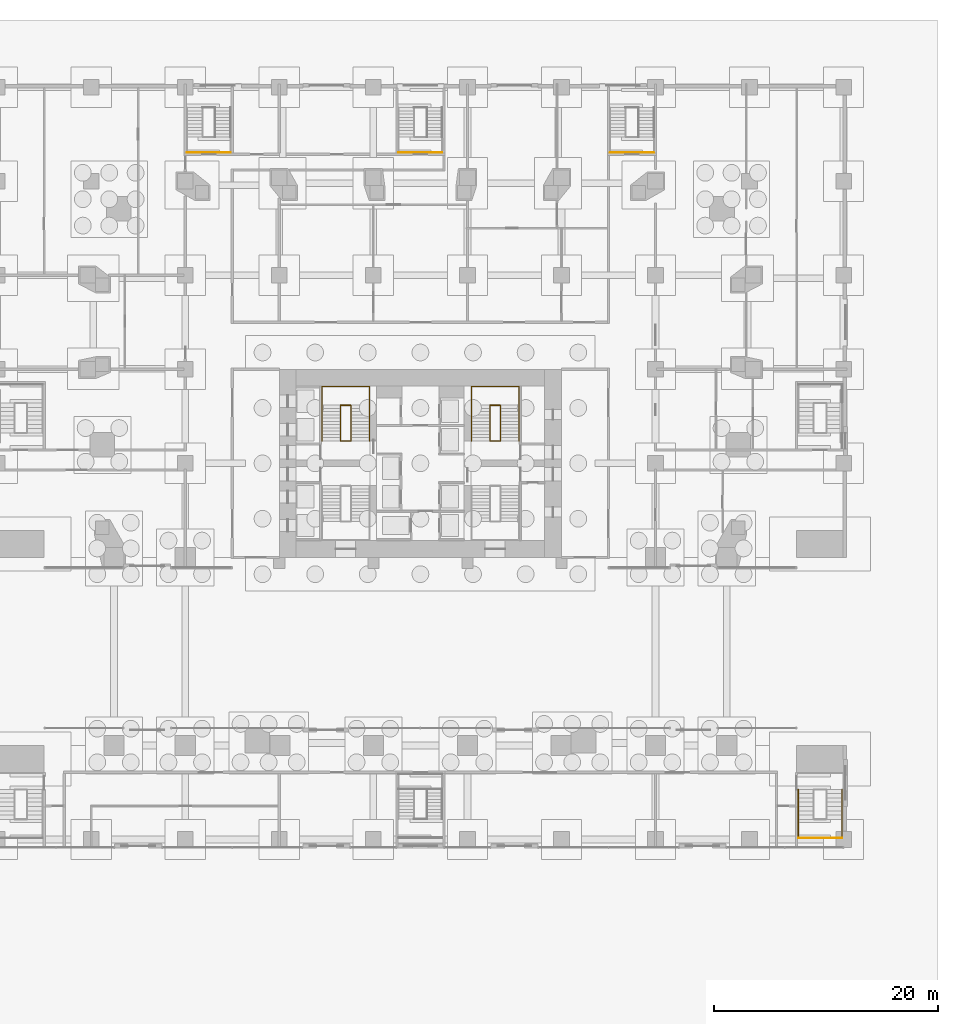
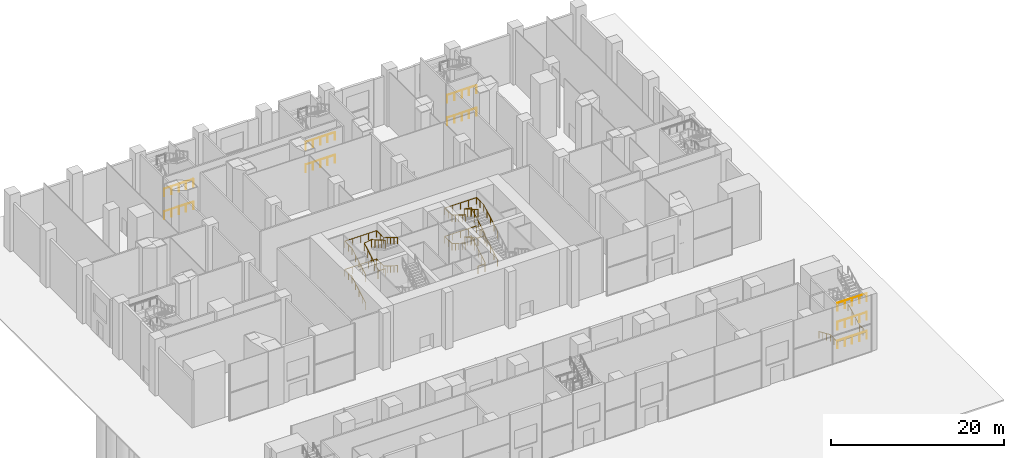
# One storey, part 27 of 31: 17 railings.
"""IFC4 building model written with IfcOpenShell, lengths in metres."""

import ifcopenshell
import ifcopenshell.guid

model = None  # the IFC model being written
_history = None  # IfcOwnerHistory: only IFC2X3 demands one
_inside = {}  # id of a spatial element -> (the spatial element, [elements in it])
_under = {}  # id of a project, library or spatial element -> (it, [spatial elements below it])
_declared = {}  # id of a project -> (the project, [libraries it declares])
_typed = {}  # id of a type object -> (the type object, [elements of that type])
_made_of = {}  # id of a material, layer set ... -> (it, [elements and type objects made of it])


def new_model(schema):
    """Start an empty IFC model of exactly this schema.

    Asked for "IFC4X3", IfcOpenShell would pick the latest addendum, in which some entities
    have other attributes; the version numbers below select the first issue.
    IFC2X3 requires an IfcOwnerHistory on every rooted entity: one is made here for all.
    """
    global model, _history
    if schema == "IFC4X3":
        model = ifcopenshell.file(schema_version=(4, 3, 0, 0))
    else:
        model = ifcopenshell.file(schema=schema)
    _inside.clear()
    _under.clear()
    _declared.clear()
    _typed.clear()
    _made_of.clear()
    _history = None
    if model.schema == "IFC2X3":
        org = make("IfcOrganization", Name="unknown")
        user = make(
            "IfcPersonAndOrganization",
            ThePerson=make("IfcPerson", FamilyName="unknown"),
            TheOrganization=org,
        )
        app = make(
            "IfcApplication",
            ApplicationDeveloper=org,
            Version="unknown",
            ApplicationFullName="unknown",
            ApplicationIdentifier="unknown",
        )
        _history = make(
            "IfcOwnerHistory",
            OwningUser=user,
            OwningApplication=app,
            ChangeAction="ADDED",
            CreationDate=0,
        )
    return model


def make(cls, **values):
    """One entity of the class cls with the attributes given. An attribute that is None is left unset."""
    return model.create_entity(
        cls, **{name: value for name, value in values.items() if value is not None}
    )


def rooted(cls, **values):
    """An entity with a GlobalId (a new one), such as an element, a storey or a relation."""
    return make(cls, GlobalId=ifcopenshell.guid.new(), OwnerHistory=_history, **values)


def si_unit(unit_type, name, prefix=None):
    """IfcSIUnit, for example si_unit("LENGTHUNIT", "METRE", prefix="MILLI")."""
    return make("IfcSIUnit", UnitType=unit_type, Prefix=prefix, Name=name)


def assignment(units):
    """IfcUnitAssignment: the units of a project."""
    return None if units is None else make("IfcUnitAssignment", Units=units)


def point(xyz):
    """IfcCartesianPoint."""
    return None if xyz is None else make("IfcCartesianPoint", Coordinates=xyz)


def direction(xyz):
    """IfcDirection."""
    return None if xyz is None else make("IfcDirection", DirectionRatios=xyz)


def frame(location, z_axis=None, x_axis=None):
    """IfcAxis2Placement3D, a coordinate frame: its origin and axes. An axis left out is left unset."""
    return make(
        "IfcAxis2Placement3D",
        Location=point(location),
        Axis=direction(z_axis),
        RefDirection=direction(x_axis),
    )


def frame_2d(location, x_axis=None):
    """IfcAxis2Placement2D, a coordinate frame in the plane: its origin and x axis."""
    return make(
        "IfcAxis2Placement2D", Location=point(location), RefDirection=direction(x_axis)
    )


def origin():
    """The frame at (0, 0, 0) with its axes left unset."""
    return frame((0.0, 0.0, 0.0))


def origin_2d():
    """The frame at (0, 0) in the plane with its x axis left unset."""
    return frame_2d((0.0, 0.0))


def place(relative_to, where):
    """IfcLocalPlacement: puts the frame where relative to a parent placement (None: the world)."""
    return make(
        "IfcLocalPlacement", PlacementRelTo=relative_to, RelativePlacement=where
    )


def context(
    kind, dimensions, precision=None, world=None, true_north=None, identifier=None
):
    """IfcGeometricRepresentationContext, for example the 3D "Model" context."""
    return make(
        "IfcGeometricRepresentationContext",
        ContextIdentifier=identifier,
        ContextType=kind,
        CoordinateSpaceDimension=dimensions,
        Precision=precision,
        WorldCoordinateSystem=world,
        TrueNorth=true_north,
    )


def subcontext(parent, identifier, kind, view, scale=None):
    """IfcGeometricRepresentationSubContext, for example "Body" below "Model"."""
    return make(
        "IfcGeometricRepresentationSubContext",
        ContextIdentifier=identifier,
        ContextType=kind,
        ParentContext=parent,
        TargetScale=scale,
        TargetView=view,
    )


def project(units=None, contexts=None):
    """IfcProject with its units and contexts."""
    return rooted(
        "IfcProject",
        Name="project",
        RepresentationContexts=contexts,
        UnitsInContext=assignment(units),
    )


def spatial(cls, under=None, at=None, **own):
    """A site, building, storey or space (cls), placed at a placement, below another one or the project."""
    s = rooted(cls, ObjectPlacement=at, **own)
    if under is not None:
        _under.setdefault(under.id(), (under, []))[1].append(s)
    return s


def profile(cls, at=None, kind="AREA", **sizes):
    """A parametric profile (cls). Its sizes go by their IFC names, for example OverallWidth=200.0."""
    return make(cls, ProfileType=kind, Position=at, **sizes)


def circle(**sizes):
    """IfcCircleProfileDef."""
    return profile("IfcCircleProfileDef", **sizes)


def extrude(swept, where, along, depth):
    """IfcExtrudedAreaSolid: the profile swept, set in the frame where, extruded along a direction by depth."""
    return make(
        "IfcExtrudedAreaSolid",
        SweptArea=swept,
        Position=where,
        ExtrudedDirection=direction(along),
        Depth=depth,
    )


def shape(context_of_items, identifier, shape_type, items):
    """IfcShapeRepresentation: the items that make up one representation, for example the "Body"."""
    return make(
        "IfcShapeRepresentation",
        ContextOfItems=context_of_items,
        RepresentationIdentifier=identifier,
        RepresentationType=shape_type,
        Items=items,
    )


def material(Name=None, Category=None):
    """IfcMaterial."""
    return make("IfcMaterial", Name=Name, Category=Category)


def made_of(thing, what):
    """Note that an element or type object is made of a material, layer set ...; save() writes the relation."""
    if what is not None:
        _made_of.setdefault(what.id(), (what, []))[1].append(thing)
    return thing


def type_object(cls, material=None, **own):
    """A type object (cls), such as IfcWallType, which elements share."""
    return made_of(rooted(cls, **own), material)


def element(
    cls,
    number,
    at=None,
    inside=None,
    cuts=None,
    type_object=None,
    material=None,
    context=None,
    identifier="Body",
    shape_type=None,
    held_by="IfcProductDefinitionShape",
    body=None,
    shapes=None,
    **own,
):
    """One element of the class cls, such as IfcWall. Its Tag is "e" and its number.

    at: its placement. inside: the storey or other place that contains it. cuts: it is an
    opening in that element (IfcRelVoidsElement). A single representation is given by context,
    identifier, shape_type and body (its items); several are given by shapes. held_by: the class
    of the entity that holds the representations. save() writes the other relations.
    """
    e = rooted(cls, Tag="e%d" % number, ObjectPlacement=at, **own)
    if body is not None:
        shapes = [shape(context, identifier, shape_type, body)]
    if shapes is not None:
        e.Representation = make(held_by, Representations=shapes)
    if inside is not None:
        _inside.setdefault(inside.id(), (inside, []))[1].append(e)
    if cuts is not None:
        rooted(
            "IfcRelVoidsElement", RelatingBuildingElement=cuts, RelatedOpeningElement=e
        )
    if type_object is not None:
        _typed.setdefault(type_object.id(), (type_object, []))[1].append(e)
    return made_of(e, material)


def aggregate(whole, parts):
    """IfcRelAggregates: a whole, such as a stair, and the parts it consists of."""
    return rooted("IfcRelAggregates", RelatingObject=whole, RelatedObjects=parts)


def save(model, path):
    """Write the relations noted so far, then the file.

    IfcRelAggregates (storeys below a building ...), IfcRelContainedInSpatialStructure (elements
    in a storey), IfcRelDefinesByType, IfcRelAssociatesMaterial and IfcRelDeclares: one each for
    every whole, place, type object, material and project.
    """
    for whole, parts in _under.values():
        aggregate(whole, parts)
    for where, things in _inside.values():
        rooted(
            "IfcRelContainedInSpatialStructure",
            RelatedElements=things,
            RelatingStructure=where,
        )
    for kind, things in _typed.values():
        rooted("IfcRelDefinesByType", RelatedObjects=things, RelatingType=kind)
    for what, things in _made_of.values():
        rooted("IfcRelAssociatesMaterial", RelatedObjects=things, RelatingMaterial=what)
    for by, libraries in _declared.values():
        rooted("IfcRelDeclares", RelatingContext=by, RelatedDefinitions=libraries)
    model.write(path)


model = new_model("IFC4")

# Units and contexts
model_context = context("Model", 3, precision=1e-05, world=origin(), true_north=direction((0.0, 1.0)))
body_context = subcontext(model_context, "Body", "Model", "MODEL_VIEW")
ifc_project = project(units=[si_unit("LENGTHUNIT", "METRE"), si_unit("AREAUNIT", "SQUARE_METRE"), si_unit("VOLUMEUNIT", "CUBIC_METRE"), si_unit("PLANEANGLEUNIT", "RADIAN"), si_unit("MASSUNIT", "GRAM", prefix="KILO")], contexts=[model_context])

# Site, building, storey
site_placement = place(None, origin())
site = spatial("IfcSite", under=ifc_project, at=site_placement, CompositionType="ELEMENT")
building_placement = place(site_placement, origin())
building = spatial("IfcBuilding", under=site, at=building_placement, Name="Marenta Gate Hotel Tower", CompositionType="ELEMENT")
storey_placement = place(building_placement, origin())
storey = spatial("IfcBuildingStorey", under=building, at=storey_placement, Name="L00", CompositionType="ELEMENT", Elevation=0.0)

# Railings
ifc_material_1 = material(Name="Stainless steel", Category="steel")
railing_type_1 = type_object("IfcRailingType", Name="Core stair handrail 950", PredefinedType="HANDRAIL", material=ifc_material_1)
railing_1_placement = place(storey_placement, frame((-8.800048828125, 10.39990234375, 0.166748046875)))
element("IfcRailing", 1, at=railing_1_placement, inside=storey, type_object=railing_type_1, Name="HR-950 L00-KR-ST2-1", PredefinedType="HANDRAIL", context=body_context, shape_type="SweptSolid", body=[
    extrude(circle(Radius=0.02392578125, at=origin_2d()), frame((0.0, 0.0, 0.92578125), z_axis=(0.0, 0.8670360191, 0.498245463184), x_axis=(-1.0, 0.0, 0.0)), (0.0, 0.0, 1.0), 3.679443359375),
    extrude(circle(Radius=0.02392578125, at=origin_2d()), frame((0.0, 3.190185546875, 2.75927734375), z_axis=(0.0, 1.0, 0.0), x_axis=(-1.0, 0.0, 0.0)), (0.0, 0.0, 1.0), 1.659912109375),
    extrude(circle(Radius=0.02392578125, at=origin_2d()), frame((0.0, 4.85009765625, 2.75927734375), z_axis=(1.0, 0.0, 0.0), x_axis=(0.0, 1.0, 0.0)), (0.0, 0.0, 1.0), 4.25),
    extrude(circle(Radius=0.02392578125, at=origin_2d()), frame((4.25, 4.85009765625, 2.75927734375), z_axis=(0.0, -1.0, 0.0), x_axis=(1.0, 0.0, 0.0)), (0.0, 0.0, 1.0), 1.659912109375),
    extrude(circle(Radius=0.02392578125, at=origin_2d()), frame((4.25, 3.190185546875, 2.75927734375), z_axis=(0.0, -0.847265311894, 0.531169926918), x_axis=(1.0, 0.0, 0.0)), (0.0, 0.0, 1.0), 3.765380859375),
    extrude(circle(Radius=0.02099609375, at=origin_2d()), origin(), (0.0, 0.0, 1.0), 0.90185546875),
    extrude(circle(Radius=0.02099609375, at=origin_2d()), frame((0.0, 0.797607421875, 0.458251953125)), (0.0, 0.0, 1.0), 0.90185546875),
    extrude(circle(Radius=0.02099609375, at=origin_2d()), frame((0.0, 1.59521484375, 0.91650390625)), (0.0, 0.0, 1.0), 0.90185546875),
    extrude(circle(Radius=0.02099609375, at=origin_2d()), frame((0.0, 2.392578125, 1.375)), (0.0, 0.0, 1.0), 0.90185546875),
    extrude(circle(Radius=0.02099609375, at=origin_2d()), frame((0.0, 3.190185546875, 1.833251953125)), (0.0, 0.0, 1.0), 0.90185546875),
    extrude(circle(Radius=0.02099609375, at=origin_2d()), frame((0.0, 4.02001953125, 1.833251953125)), (0.0, 0.0, 1.0), 0.90185546875),
    extrude(circle(Radius=0.02099609375, at=origin_2d()), frame((0.0, 4.85009765625, 1.833251953125)), (0.0, 0.0, 1.0), 0.90185546875),
    extrude(circle(Radius=0.02099609375, at=origin_2d()), frame((1.0625, 4.85009765625, 1.833251953125)), (0.0, 0.0, 1.0), 0.90185546875),
    extrude(circle(Radius=0.02099609375, at=origin_2d()), frame((2.125, 4.85009765625, 1.833251953125)), (0.0, 0.0, 1.0), 0.90185546875),
    extrude(circle(Radius=0.02099609375, at=origin_2d()), frame((3.1875, 4.85009765625, 1.833251953125)), (0.0, 0.0, 1.0), 0.90185546875),
    extrude(circle(Radius=0.02099609375, at=origin_2d()), frame((4.25, 4.85009765625, 1.833251953125)), (0.0, 0.0, 1.0), 0.90185546875),
    extrude(circle(Radius=0.02099609375, at=origin_2d()), frame((4.25, 4.02001953125, 1.833251953125)), (0.0, 0.0, 1.0), 0.90185546875),
    extrude(circle(Radius=0.02099609375, at=origin_2d()), frame((4.25, 3.190185546875, 1.833251953125)), (0.0, 0.0, 1.0), 0.90185546875),
    extrude(circle(Radius=0.02099609375, at=origin_2d()), frame((4.25, 2.392578125, 2.333251953125)), (0.0, 0.0, 1.0), 0.90185546875),
    extrude(circle(Radius=0.02099609375, at=origin_2d()), frame((4.25, 1.59521484375, 2.833251953125)), (0.0, 0.0, 1.0), 0.90185546875),
    extrude(circle(Radius=0.02099609375, at=origin_2d()), frame((4.25, 0.797607421875, 3.333251953125)), (0.0, 0.0, 1.0), 0.90185546875),
    extrude(circle(Radius=0.02099609375, at=origin_2d()), frame((4.25, 0.0, 3.833251953125)), (0.0, 0.0, 1.0), 0.90185546875),
])
railing_2_placement = place(storey_placement, frame((-8.800048828125, 10.39990234375, 4.166748046875)))
element("IfcRailing", 2, at=railing_2_placement, inside=storey, type_object=railing_type_1, Name="HR-950 L00-KR-ST2-3", PredefinedType="HANDRAIL", context=body_context, shape_type="SweptSolid", body=[
    extrude(circle(Radius=0.02392578125, at=origin_2d()), frame((0.0, 0.0, 0.92578125), z_axis=(0.0, 0.8670360191, 0.498245463184), x_axis=(-1.0, 0.0, 0.0)), (0.0, 0.0, 1.0), 3.679443359375),
    extrude(circle(Radius=0.02392578125, at=origin_2d()), frame((0.0, 3.190185546875, 2.75927734375), z_axis=(0.0, 1.0, 0.0), x_axis=(-1.0, 0.0, 0.0)), (0.0, 0.0, 1.0), 1.659912109375),
    extrude(circle(Radius=0.02392578125, at=origin_2d()), frame((0.0, 4.85009765625, 2.75927734375), z_axis=(1.0, 0.0, 0.0), x_axis=(0.0, 1.0, 0.0)), (0.0, 0.0, 1.0), 4.25),
    extrude(circle(Radius=0.02392578125, at=origin_2d()), frame((4.25, 4.85009765625, 2.75927734375), z_axis=(0.0, -1.0, 0.0), x_axis=(1.0, 0.0, 0.0)), (0.0, 0.0, 1.0), 1.659912109375),
    extrude(circle(Radius=0.02392578125, at=origin_2d()), frame((4.25, 3.190185546875, 2.75927734375), z_axis=(0.0, -0.847265311894, 0.531169926918), x_axis=(1.0, 0.0, 0.0)), (0.0, 0.0, 1.0), 3.765380859375),
    extrude(circle(Radius=0.02099609375, at=origin_2d()), origin(), (0.0, 0.0, 1.0), 0.90185546875),
    extrude(circle(Radius=0.02099609375, at=origin_2d()), frame((0.0, 0.797607421875, 0.458251953125)), (0.0, 0.0, 1.0), 0.90185546875),
    extrude(circle(Radius=0.02099609375, at=origin_2d()), frame((0.0, 1.59521484375, 0.91650390625)), (0.0, 0.0, 1.0), 0.90185546875),
    extrude(circle(Radius=0.02099609375, at=origin_2d()), frame((0.0, 2.392578125, 1.375)), (0.0, 0.0, 1.0), 0.90185546875),
    extrude(circle(Radius=0.02099609375, at=origin_2d()), frame((0.0, 3.190185546875, 1.833251953125)), (0.0, 0.0, 1.0), 0.90185546875),
    extrude(circle(Radius=0.02099609375, at=origin_2d()), frame((0.0, 4.02001953125, 1.833251953125)), (0.0, 0.0, 1.0), 0.90185546875),
    extrude(circle(Radius=0.02099609375, at=origin_2d()), frame((0.0, 4.85009765625, 1.833251953125)), (0.0, 0.0, 1.0), 0.90185546875),
    extrude(circle(Radius=0.02099609375, at=origin_2d()), frame((1.0625, 4.85009765625, 1.833251953125)), (0.0, 0.0, 1.0), 0.90185546875),
    extrude(circle(Radius=0.02099609375, at=origin_2d()), frame((2.125, 4.85009765625, 1.833251953125)), (0.0, 0.0, 1.0), 0.90185546875),
    extrude(circle(Radius=0.02099609375, at=origin_2d()), frame((3.1875, 4.85009765625, 1.833251953125)), (0.0, 0.0, 1.0), 0.90185546875),
    extrude(circle(Radius=0.02099609375, at=origin_2d()), frame((4.25, 4.85009765625, 1.833251953125)), (0.0, 0.0, 1.0), 0.90185546875),
    extrude(circle(Radius=0.02099609375, at=origin_2d()), frame((4.25, 4.02001953125, 1.833251953125)), (0.0, 0.0, 1.0), 0.90185546875),
    extrude(circle(Radius=0.02099609375, at=origin_2d()), frame((4.25, 3.190185546875, 1.833251953125)), (0.0, 0.0, 1.0), 0.90185546875),
    extrude(circle(Radius=0.02099609375, at=origin_2d()), frame((4.25, 2.392578125, 2.333251953125)), (0.0, 0.0, 1.0), 0.90185546875),
    extrude(circle(Radius=0.02099609375, at=origin_2d()), frame((4.25, 1.59521484375, 2.833251953125)), (0.0, 0.0, 1.0), 0.90185546875),
    extrude(circle(Radius=0.02099609375, at=origin_2d()), frame((4.25, 0.797607421875, 3.333251953125)), (0.0, 0.0, 1.0), 0.90185546875),
    extrude(circle(Radius=0.02099609375, at=origin_2d()), frame((4.25, 0.0, 3.833251953125)), (0.0, 0.0, 1.0), 0.90185546875),
])
railing_3_placement = place(storey_placement, frame((8.800048828125, 10.39990234375, 0.166748046875)))
element("IfcRailing", 3, at=railing_3_placement, inside=storey, type_object=railing_type_1, Name="HR-950 L00-KR-ST4-1", PredefinedType="HANDRAIL", context=body_context, shape_type="SweptSolid", body=[
    extrude(circle(Radius=0.02392578125, at=origin_2d()), frame((0.0, 0.0, 0.92578125), z_axis=(0.0, 0.8670360191, 0.498245463184), x_axis=(-1.0, 0.0, 0.0)), (0.0, 0.0, 1.0), 3.679443359375),
    extrude(circle(Radius=0.02392578125, at=origin_2d()), frame((0.0, 3.190185546875, 2.75927734375), z_axis=(0.0, 1.0, 0.0), x_axis=(-1.0, 0.0, 0.0)), (0.0, 0.0, 1.0), 1.659912109375),
    extrude(circle(Radius=0.02392578125, at=origin_2d()), frame((0.0, 4.85009765625, 2.75927734375), z_axis=(-1.0, 0.0, 0.0), x_axis=(0.0, -1.0, 0.0)), (0.0, 0.0, 1.0), 4.25),
    extrude(circle(Radius=0.02392578125, at=origin_2d()), frame((-4.25, 4.85009765625, 2.75927734375), z_axis=(0.0, -1.0, 0.0), x_axis=(1.0, 0.0, 0.0)), (0.0, 0.0, 1.0), 1.659912109375),
    extrude(circle(Radius=0.02392578125, at=origin_2d()), frame((-4.25, 3.190185546875, 2.75927734375), z_axis=(0.0, -0.847265311894, 0.531169926918), x_axis=(1.0, 0.0, 0.0)), (0.0, 0.0, 1.0), 3.765380859375),
    extrude(circle(Radius=0.02099609375, at=origin_2d()), origin(), (0.0, 0.0, 1.0), 0.90185546875),
    extrude(circle(Radius=0.02099609375, at=origin_2d()), frame((0.0, 0.797607421875, 0.458251953125)), (0.0, 0.0, 1.0), 0.90185546875),
    extrude(circle(Radius=0.02099609375, at=origin_2d()), frame((0.0, 1.59521484375, 0.91650390625)), (0.0, 0.0, 1.0), 0.90185546875),
    extrude(circle(Radius=0.02099609375, at=origin_2d()), frame((0.0, 2.392578125, 1.375)), (0.0, 0.0, 1.0), 0.90185546875),
    extrude(circle(Radius=0.02099609375, at=origin_2d()), frame((0.0, 3.190185546875, 1.833251953125)), (0.0, 0.0, 1.0), 0.90185546875),
    extrude(circle(Radius=0.02099609375, at=origin_2d()), frame((0.0, 4.02001953125, 1.833251953125)), (0.0, 0.0, 1.0), 0.90185546875),
    extrude(circle(Radius=0.02099609375, at=origin_2d()), frame((0.0, 4.85009765625, 1.833251953125)), (0.0, 0.0, 1.0), 0.90185546875),
    extrude(circle(Radius=0.02099609375, at=origin_2d()), frame((-1.0625, 4.85009765625, 1.833251953125)), (0.0, 0.0, 1.0), 0.90185546875),
    extrude(circle(Radius=0.02099609375, at=origin_2d()), frame((-2.125, 4.85009765625, 1.833251953125)), (0.0, 0.0, 1.0), 0.90185546875),
    extrude(circle(Radius=0.02099609375, at=origin_2d()), frame((-3.1875, 4.85009765625, 1.833251953125)), (0.0, 0.0, 1.0), 0.90185546875),
    extrude(circle(Radius=0.02099609375, at=origin_2d()), frame((-4.25, 4.85009765625, 1.833251953125)), (0.0, 0.0, 1.0), 0.90185546875),
    extrude(circle(Radius=0.02099609375, at=origin_2d()), frame((-4.25, 4.02001953125, 1.833251953125)), (0.0, 0.0, 1.0), 0.90185546875),
    extrude(circle(Radius=0.02099609375, at=origin_2d()), frame((-4.25, 3.190185546875, 1.833251953125)), (0.0, 0.0, 1.0), 0.90185546875),
    extrude(circle(Radius=0.02099609375, at=origin_2d()), frame((-4.25, 2.392578125, 2.333251953125)), (0.0, 0.0, 1.0), 0.90185546875),
    extrude(circle(Radius=0.02099609375, at=origin_2d()), frame((-4.25, 1.59521484375, 2.833251953125)), (0.0, 0.0, 1.0), 0.90185546875),
    extrude(circle(Radius=0.02099609375, at=origin_2d()), frame((-4.25, 0.797607421875, 3.333251953125)), (0.0, 0.0, 1.0), 0.90185546875),
    extrude(circle(Radius=0.02099609375, at=origin_2d()), frame((-4.25, 0.0, 3.833251953125)), (0.0, 0.0, 1.0), 0.90185546875),
])
railing_4_placement = place(storey_placement, frame((8.800048828125, 10.39990234375, 4.166748046875)))
element("IfcRailing", 4, at=railing_4_placement, inside=storey, type_object=railing_type_1, Name="HR-950 L00-KR-ST4-3", PredefinedType="HANDRAIL", context=body_context, shape_type="SweptSolid", body=[
    extrude(circle(Radius=0.02392578125, at=origin_2d()), frame((0.0, 0.0, 0.92578125), z_axis=(0.0, 0.8670360191, 0.498245463184), x_axis=(-1.0, 0.0, 0.0)), (0.0, 0.0, 1.0), 3.679443359375),
    extrude(circle(Radius=0.02392578125, at=origin_2d()), frame((0.0, 3.190185546875, 2.75927734375), z_axis=(0.0, 1.0, 0.0), x_axis=(-1.0, 0.0, 0.0)), (0.0, 0.0, 1.0), 1.659912109375),
    extrude(circle(Radius=0.02392578125, at=origin_2d()), frame((0.0, 4.85009765625, 2.75927734375), z_axis=(-1.0, 0.0, 0.0), x_axis=(0.0, -1.0, 0.0)), (0.0, 0.0, 1.0), 4.25),
    extrude(circle(Radius=0.02392578125, at=origin_2d()), frame((-4.25, 4.85009765625, 2.75927734375), z_axis=(0.0, -1.0, 0.0), x_axis=(1.0, 0.0, 0.0)), (0.0, 0.0, 1.0), 1.659912109375),
    extrude(circle(Radius=0.02392578125, at=origin_2d()), frame((-4.25, 3.190185546875, 2.75927734375), z_axis=(0.0, -0.847265311894, 0.531169926918), x_axis=(1.0, 0.0, 0.0)), (0.0, 0.0, 1.0), 3.765380859375),
    extrude(circle(Radius=0.02099609375, at=origin_2d()), origin(), (0.0, 0.0, 1.0), 0.90185546875),
    extrude(circle(Radius=0.02099609375, at=origin_2d()), frame((0.0, 0.797607421875, 0.458251953125)), (0.0, 0.0, 1.0), 0.90185546875),
    extrude(circle(Radius=0.02099609375, at=origin_2d()), frame((0.0, 1.59521484375, 0.91650390625)), (0.0, 0.0, 1.0), 0.90185546875),
    extrude(circle(Radius=0.02099609375, at=origin_2d()), frame((0.0, 2.392578125, 1.375)), (0.0, 0.0, 1.0), 0.90185546875),
    extrude(circle(Radius=0.02099609375, at=origin_2d()), frame((0.0, 3.190185546875, 1.833251953125)), (0.0, 0.0, 1.0), 0.90185546875),
    extrude(circle(Radius=0.02099609375, at=origin_2d()), frame((0.0, 4.02001953125, 1.833251953125)), (0.0, 0.0, 1.0), 0.90185546875),
    extrude(circle(Radius=0.02099609375, at=origin_2d()), frame((0.0, 4.85009765625, 1.833251953125)), (0.0, 0.0, 1.0), 0.90185546875),
    extrude(circle(Radius=0.02099609375, at=origin_2d()), frame((-1.0625, 4.85009765625, 1.833251953125)), (0.0, 0.0, 1.0), 0.90185546875),
    extrude(circle(Radius=0.02099609375, at=origin_2d()), frame((-2.125, 4.85009765625, 1.833251953125)), (0.0, 0.0, 1.0), 0.90185546875),
    extrude(circle(Radius=0.02099609375, at=origin_2d()), frame((-3.1875, 4.85009765625, 1.833251953125)), (0.0, 0.0, 1.0), 0.90185546875),
    extrude(circle(Radius=0.02099609375, at=origin_2d()), frame((-4.25, 4.85009765625, 1.833251953125)), (0.0, 0.0, 1.0), 0.90185546875),
    extrude(circle(Radius=0.02099609375, at=origin_2d()), frame((-4.25, 4.02001953125, 1.833251953125)), (0.0, 0.0, 1.0), 0.90185546875),
    extrude(circle(Radius=0.02099609375, at=origin_2d()), frame((-4.25, 3.190185546875, 1.833251953125)), (0.0, 0.0, 1.0), 0.90185546875),
    extrude(circle(Radius=0.02099609375, at=origin_2d()), frame((-4.25, 2.392578125, 2.333251953125)), (0.0, 0.0, 1.0), 0.90185546875),
    extrude(circle(Radius=0.02099609375, at=origin_2d()), frame((-4.25, 1.59521484375, 2.833251953125)), (0.0, 0.0, 1.0), 0.90185546875),
    extrude(circle(Radius=0.02099609375, at=origin_2d()), frame((-4.25, 0.797607421875, 3.333251953125)), (0.0, 0.0, 1.0), 0.90185546875),
    extrude(circle(Radius=0.02099609375, at=origin_2d()), frame((-4.25, 0.0, 3.833251953125)), (0.0, 0.0, 1.0), 0.90185546875),
])
railing_5_placement = place(storey_placement, frame((33.75, -20.72998046875, 0.166748046875)))
element("IfcRailing", 5, at=railing_5_placement, inside=storey, type_object=railing_type_1, Name="HR-950 L00-KR-PX2-2", PredefinedType="HANDRAIL", context=body_context, shape_type="SweptSolid", body=[
    extrude(circle(Radius=0.02392578125, at=origin_2d()), frame((0.0, 0.0, 0.92578125), z_axis=(0.0, -0.915803938995, 0.401625628317), x_axis=(1.0, 0.0, 0.0)), (0.0, 0.0, 1.0), 2.904541015625),
    extrude(circle(Radius=0.02392578125, at=origin_2d()), frame((0.0, -2.659912109375, 2.09228515625), z_axis=(0.0, -1.0, 0.0), x_axis=(1.0, 0.0, 0.0)), (0.0, 0.0, 1.0), 1.66015625),
    extrude(circle(Radius=0.02392578125, at=origin_2d()), frame((0.0, -4.320068359375, 2.09228515625), z_axis=(1.0, 0.0, 0.0), x_axis=(0.0, 1.0, 0.0)), (0.0, 0.0, 1.0), 3.89990234375),
    extrude(circle(Radius=0.02392578125, at=origin_2d()), frame((3.89990234375, -4.320068359375, 2.09228515625), z_axis=(0.0, 1.0, 0.0), x_axis=(-1.0, 0.0, 0.0)), (0.0, 0.0, 1.0), 1.66015625),
    extrude(circle(Radius=0.02392578125, at=origin_2d()), frame((3.89990234375, -2.659912109375, 2.09228515625), z_axis=(0.0, 0.89395078604, 0.448165139362), x_axis=(-1.0, 0.0, 0.0)), (0.0, 0.0, 1.0), 2.975341796875),
    extrude(circle(Radius=0.02099609375, at=origin_2d()), origin(), (0.0, 0.0, 1.0), 0.90185546875),
    extrude(circle(Radius=0.02099609375, at=origin_2d()), frame((0.0, -0.88671875, 0.388916015625)), (0.0, 0.0, 1.0), 0.90185546875),
    extrude(circle(Radius=0.02099609375, at=origin_2d()), frame((0.0, -1.773193359375, 0.777587890625)), (0.0, 0.0, 1.0), 0.90185546875),
    extrude(circle(Radius=0.02099609375, at=origin_2d()), frame((0.0, -2.659912109375, 1.16650390625)), (0.0, 0.0, 1.0), 0.90185546875),
    extrude(circle(Radius=0.02099609375, at=origin_2d()), frame((0.0, -3.489990234375, 1.16650390625)), (0.0, 0.0, 1.0), 0.90185546875),
    extrude(circle(Radius=0.02099609375, at=origin_2d()), frame((0.0, -4.320068359375, 1.16650390625)), (0.0, 0.0, 1.0), 0.90185546875),
    extrude(circle(Radius=0.02099609375, at=origin_2d()), frame((0.97509765625, -4.320068359375, 1.16650390625)), (0.0, 0.0, 1.0), 0.90185546875),
    extrude(circle(Radius=0.02099609375, at=origin_2d()), frame((1.949951171875, -4.320068359375, 1.16650390625)), (0.0, 0.0, 1.0), 0.90185546875),
    extrude(circle(Radius=0.02099609375, at=origin_2d()), frame((2.9248046875, -4.320068359375, 1.16650390625)), (0.0, 0.0, 1.0), 0.90185546875),
    extrude(circle(Radius=0.02099609375, at=origin_2d()), frame((3.89990234375, -4.320068359375, 1.16650390625)), (0.0, 0.0, 1.0), 0.90185546875),
    extrude(circle(Radius=0.02099609375, at=origin_2d()), frame((3.89990234375, -3.489990234375, 1.16650390625)), (0.0, 0.0, 1.0), 0.90185546875),
    extrude(circle(Radius=0.02099609375, at=origin_2d()), frame((3.89990234375, -2.659912109375, 1.16650390625)), (0.0, 0.0, 1.0), 0.90185546875),
    extrude(circle(Radius=0.02099609375, at=origin_2d()), frame((3.89990234375, -1.773193359375, 1.611083984375)), (0.0, 0.0, 1.0), 0.90185546875),
    extrude(circle(Radius=0.02099609375, at=origin_2d()), frame((3.89990234375, -0.88671875, 2.055419921875)), (0.0, 0.0, 1.0), 0.90185546875),
    extrude(circle(Radius=0.02099609375, at=origin_2d()), frame((3.89990234375, 0.0, 2.5)), (0.0, 0.0, 1.0), 0.90185546875),
])
ifc_material_2 = material(Name="Stainless steel", Category="steel")
railing_type_2 = type_object("IfcRailingType", Name="Core stair well guard 1100", PredefinedType="GUARDRAIL", material=ifc_material_2)
railing_6_placement = place(storey_placement, frame((-6.199951171875, 10.39990234375, 4.0)))
element("IfcRailing", 6, at=railing_6_placement, inside=storey, type_object=railing_type_2, Name="GR-1100 L00-KR-ST2-4", PredefinedType="GUARDRAIL", context=body_context, shape_type="SweptSolid", body=[
    extrude(circle(Radius=0.02392578125, at=origin_2d()), frame((0.0, 0.0, 1.076171875), z_axis=(-1.0, 0.0, 0.0), x_axis=(0.0, -1.0, 0.0)), (0.0, 0.0, 1.0), 0.949951171875),
    extrude(circle(Radius=0.02392578125, at=origin_2d()), frame((-0.949951171875, 0.0, 1.076171875), z_axis=(0.0, 0.0, 1.0), x_axis=(1.0, 0.0, 0.0)), (0.0, 0.0, 1.0), 0.166748046875),
    extrude(circle(Radius=0.02392578125, at=origin_2d()), frame((-0.949951171875, 0.0, 1.24267578125), z_axis=(0.0, 0.8670360191, 0.498245463184), x_axis=(-1.0, 0.0, 0.0)), (0.0, 0.0, 1.0), 3.679443359375),
    extrude(circle(Radius=0.02392578125, at=origin_2d()), frame((-0.949951171875, 3.190185546875, 3.076171875), z_axis=(0.984941147704, 0.0, 0.172889952167), x_axis=(0.0, 1.0, 0.0)), (0.0, 0.0, 1.0), 0.96435546875),
    extrude(circle(Radius=0.02392578125, at=origin_2d()), frame((0.0, 3.190185546875, 3.24267578125), z_axis=(0.0, -0.8670360191, 0.498245463184), x_axis=(1.0, 0.0, 0.0)), (0.0, 0.0, 1.0), 3.679443359375),
    extrude(circle(Radius=0.02099609375, at=origin_2d()), origin(), (0.0, 0.0, 1.0), 1.052001953125),
    extrude(circle(Radius=0.02099609375, at=origin_2d()), frame((-0.949951171875, 0.0, 0.0)), (0.0, 0.0, 1.0), 1.052001953125),
    extrude(circle(Radius=0.02099609375, at=origin_2d()), frame((-0.949951171875, 0.0, 0.166748046875)), (0.0, 0.0, 1.0), 1.052001953125),
    extrude(circle(Radius=0.02099609375, at=origin_2d()), frame((-0.949951171875, 0.797607421875, 0.625)), (0.0, 0.0, 1.0), 1.052001953125),
    extrude(circle(Radius=0.02099609375, at=origin_2d()), frame((-0.949951171875, 1.59521484375, 1.08349609375)), (0.0, 0.0, 1.0), 1.052001953125),
    extrude(circle(Radius=0.02099609375, at=origin_2d()), frame((-0.949951171875, 2.392578125, 1.541748046875)), (0.0, 0.0, 1.0), 1.052001953125),
    extrude(circle(Radius=0.02099609375, at=origin_2d()), frame((-0.949951171875, 3.190185546875, 2.0)), (0.0, 0.0, 1.0), 1.052001953125),
    extrude(circle(Radius=0.02099609375, at=origin_2d()), frame((0.0, 3.190185546875, 2.166748046875)), (0.0, 0.0, 1.0), 1.052001953125),
    extrude(circle(Radius=0.02099609375, at=origin_2d()), frame((0.0, 2.392578125, 2.625)), (0.0, 0.0, 1.0), 1.052001953125),
    extrude(circle(Radius=0.02099609375, at=origin_2d()), frame((0.0, 1.59521484375, 3.08349609375)), (0.0, 0.0, 1.0), 1.052001953125),
    extrude(circle(Radius=0.02099609375, at=origin_2d()), frame((0.0, 0.797607421875, 3.541748046875)), (0.0, 0.0, 1.0), 1.052001953125),
    extrude(circle(Radius=0.02099609375, at=origin_2d()), frame((0.0, 0.0, 4.0)), (0.0, 0.0, 1.0), 1.052001953125),
])
railing_7_placement = place(storey_placement, frame((6.199951171875, 10.39990234375, 0.0)))
element("IfcRailing", 7, at=railing_7_placement, inside=storey, type_object=railing_type_2, Name="GR-1100 L00-KR-ST4-2", PredefinedType="GUARDRAIL", context=body_context, shape_type="SweptSolid", body=[
    extrude(circle(Radius=0.02392578125, at=origin_2d()), frame((0.0, 0.0, 1.076171875), z_axis=(1.0, 0.0, 0.0), x_axis=(0.0, 1.0, 0.0)), (0.0, 0.0, 1.0), 0.949951171875),
    extrude(circle(Radius=0.02392578125, at=origin_2d()), frame((0.949951171875, 0.0, 1.076171875), z_axis=(0.0, 0.0, 1.0), x_axis=(1.0, 0.0, 0.0)), (0.0, 0.0, 1.0), 0.166748046875),
    extrude(circle(Radius=0.02392578125, at=origin_2d()), frame((0.949951171875, 0.0, 1.24267578125), z_axis=(0.0, 0.8670360191, 0.498245463184), x_axis=(-1.0, 0.0, 0.0)), (0.0, 0.0, 1.0), 3.679443359375),
    extrude(circle(Radius=0.02392578125, at=origin_2d()), frame((0.949951171875, 3.190185546875, 3.076171875), z_axis=(-0.984941147704, 0.0, 0.172889952167), x_axis=(0.0, -1.0, 0.0)), (0.0, 0.0, 1.0), 0.96435546875),
    extrude(circle(Radius=0.02392578125, at=origin_2d()), frame((0.0, 3.190185546875, 3.24267578125), z_axis=(0.0, -0.8670360191, 0.498245463184), x_axis=(1.0, 0.0, 0.0)), (0.0, 0.0, 1.0), 3.679443359375),
    extrude(circle(Radius=0.02099609375, at=origin_2d()), origin(), (0.0, 0.0, 1.0), 1.052001953125),
    extrude(circle(Radius=0.02099609375, at=origin_2d()), frame((0.949951171875, 0.0, 0.0)), (0.0, 0.0, 1.0), 1.052001953125),
    extrude(circle(Radius=0.02099609375, at=origin_2d()), frame((0.949951171875, 0.0, 0.166748046875)), (0.0, 0.0, 1.0), 1.052001953125),
    extrude(circle(Radius=0.02099609375, at=origin_2d()), frame((0.949951171875, 0.797607421875, 0.625)), (0.0, 0.0, 1.0), 1.052001953125),
    extrude(circle(Radius=0.02099609375, at=origin_2d()), frame((0.949951171875, 1.59521484375, 1.08349609375)), (0.0, 0.0, 1.0), 1.052001953125),
    extrude(circle(Radius=0.02099609375, at=origin_2d()), frame((0.949951171875, 2.392578125, 1.541748046875)), (0.0, 0.0, 1.0), 1.052001953125),
    extrude(circle(Radius=0.02099609375, at=origin_2d()), frame((0.949951171875, 3.190185546875, 2.0)), (0.0, 0.0, 1.0), 1.052001953125),
    extrude(circle(Radius=0.02099609375, at=origin_2d()), frame((0.0, 3.190185546875, 2.166748046875)), (0.0, 0.0, 1.0), 1.052001953125),
    extrude(circle(Radius=0.02099609375, at=origin_2d()), frame((0.0, 2.392578125, 2.625)), (0.0, 0.0, 1.0), 1.052001953125),
    extrude(circle(Radius=0.02099609375, at=origin_2d()), frame((0.0, 1.59521484375, 3.08349609375)), (0.0, 0.0, 1.0), 1.052001953125),
    extrude(circle(Radius=0.02099609375, at=origin_2d()), frame((0.0, 0.797607421875, 3.541748046875)), (0.0, 0.0, 1.0), 1.052001953125),
    extrude(circle(Radius=0.02099609375, at=origin_2d()), frame((0.0, 0.0, 4.0)), (0.0, 0.0, 1.0), 1.052001953125),
])
railing_8_placement = place(storey_placement, frame((6.199951171875, 10.39990234375, 4.0)))
element("IfcRailing", 8, at=railing_8_placement, inside=storey, type_object=railing_type_2, Name="GR-1100 L00-KR-ST4-4", PredefinedType="GUARDRAIL", context=body_context, shape_type="SweptSolid", body=[
    extrude(circle(Radius=0.02392578125, at=origin_2d()), frame((0.0, 0.0, 1.076171875), z_axis=(1.0, 0.0, 0.0), x_axis=(0.0, 1.0, 0.0)), (0.0, 0.0, 1.0), 0.949951171875),
    extrude(circle(Radius=0.02392578125, at=origin_2d()), frame((0.949951171875, 0.0, 1.076171875), z_axis=(0.0, 0.0, 1.0), x_axis=(1.0, 0.0, 0.0)), (0.0, 0.0, 1.0), 0.166748046875),
    extrude(circle(Radius=0.02392578125, at=origin_2d()), frame((0.949951171875, 0.0, 1.24267578125), z_axis=(0.0, 0.8670360191, 0.498245463184), x_axis=(-1.0, 0.0, 0.0)), (0.0, 0.0, 1.0), 3.679443359375),
    extrude(circle(Radius=0.02392578125, at=origin_2d()), frame((0.949951171875, 3.190185546875, 3.076171875), z_axis=(-0.984941147704, 0.0, 0.172889952167), x_axis=(0.0, -1.0, 0.0)), (0.0, 0.0, 1.0), 0.96435546875),
    extrude(circle(Radius=0.02392578125, at=origin_2d()), frame((0.0, 3.190185546875, 3.24267578125), z_axis=(0.0, -0.8670360191, 0.498245463184), x_axis=(1.0, 0.0, 0.0)), (0.0, 0.0, 1.0), 3.679443359375),
    extrude(circle(Radius=0.02099609375, at=origin_2d()), origin(), (0.0, 0.0, 1.0), 1.052001953125),
    extrude(circle(Radius=0.02099609375, at=origin_2d()), frame((0.949951171875, 0.0, 0.0)), (0.0, 0.0, 1.0), 1.052001953125),
    extrude(circle(Radius=0.02099609375, at=origin_2d()), frame((0.949951171875, 0.0, 0.166748046875)), (0.0, 0.0, 1.0), 1.052001953125),
    extrude(circle(Radius=0.02099609375, at=origin_2d()), frame((0.949951171875, 0.797607421875, 0.625)), (0.0, 0.0, 1.0), 1.052001953125),
    extrude(circle(Radius=0.02099609375, at=origin_2d()), frame((0.949951171875, 1.59521484375, 1.08349609375)), (0.0, 0.0, 1.0), 1.052001953125),
    extrude(circle(Radius=0.02099609375, at=origin_2d()), frame((0.949951171875, 2.392578125, 1.541748046875)), (0.0, 0.0, 1.0), 1.052001953125),
    extrude(circle(Radius=0.02099609375, at=origin_2d()), frame((0.949951171875, 3.190185546875, 2.0)), (0.0, 0.0, 1.0), 1.052001953125),
    extrude(circle(Radius=0.02099609375, at=origin_2d()), frame((0.0, 3.190185546875, 2.166748046875)), (0.0, 0.0, 1.0), 1.052001953125),
    extrude(circle(Radius=0.02099609375, at=origin_2d()), frame((0.0, 2.392578125, 2.625)), (0.0, 0.0, 1.0), 1.052001953125),
    extrude(circle(Radius=0.02099609375, at=origin_2d()), frame((0.0, 1.59521484375, 3.08349609375)), (0.0, 0.0, 1.0), 1.052001953125),
    extrude(circle(Radius=0.02099609375, at=origin_2d()), frame((0.0, 0.797607421875, 3.541748046875)), (0.0, 0.0, 1.0), 1.052001953125),
    extrude(circle(Radius=0.02099609375, at=origin_2d()), frame((0.0, 0.0, 4.0)), (0.0, 0.0, 1.0), 1.052001953125),
])
for number, where, name in (
    (9, (33.75, -25.050048828125, 1.333251953125), "GR-1100 L00-KR-PX2-1"),
    (10, (33.75, -25.050048828125, 4.0), "GR-1100 L00-KR-PX2-4"),
    (11, (33.75, -25.050048828125, 6.666748046875), "GR-1100 L00-KR-PX2-7"),
):
    element("IfcRailing", number, at=place(storey_placement, frame(where)), inside=storey, type_object=railing_type_2, Name=name, PredefinedType="GUARDRAIL", context=body_context, shape_type="SweptSolid", body=[
        extrude(circle(Radius=0.02392578125, at=origin_2d()), frame((0.0, 0.0, 1.076171875), z_axis=(1.0, 0.0, 0.0), x_axis=(0.0, 1.0, 0.0)), (0.0, 0.0, 1.0), 3.89990234375),
        extrude(circle(Radius=0.02099609375, at=origin_2d()), origin(), (0.0, 0.0, 1.0), 1.052001953125),
        extrude(circle(Radius=0.02099609375, at=origin_2d()), frame((0.97509765625, 0.0, 0.0)), (0.0, 0.0, 1.0), 1.052001953125),
        extrude(circle(Radius=0.02099609375, at=origin_2d()), frame((1.949951171875, 0.0, 0.0)), (0.0, 0.0, 1.0), 1.052001953125),
        extrude(circle(Radius=0.02099609375, at=origin_2d()), frame((2.9248046875, 0.0, 0.0)), (0.0, 0.0, 1.0), 1.052001953125),
        extrude(circle(Radius=0.02099609375, at=origin_2d()), frame((3.89990234375, 0.0, 0.0)), (0.0, 0.0, 1.0), 1.052001953125),
    ])
for number, where, name in (
    (12, (-16.949951171875, 36.14990234375, 1.60009765625), "GR-1100 L00-KR-PX3-1"),
    (13, (-16.949951171875, 36.14990234375, 4.800048828125), "GR-1100 L00-KR-PX3-4"),
    (14, (20.85009765625, 36.14990234375, 1.60009765625), "GR-1100 L00-KR-PX4-1"),
    (15, (20.85009765625, 36.14990234375, 4.800048828125), "GR-1100 L00-KR-PX4-4"),
):
    element("IfcRailing", number, at=place(storey_placement, frame(where)), inside=storey, type_object=railing_type_2, Name=name, PredefinedType="GUARDRAIL", context=body_context, shape_type="SweptSolid", body=[
        extrude(circle(Radius=0.02392578125, at=origin_2d()), frame((0.0, 0.0, 1.076171875), z_axis=(-1.0, 0.0, 0.0), x_axis=(0.0, -1.0, 0.0)), (0.0, 0.0, 1.0), 3.900146484375),
        extrude(circle(Radius=0.02099609375, at=origin_2d()), origin(), (0.0, 0.0, 1.0), 1.052001953125),
        extrude(circle(Radius=0.02099609375, at=origin_2d()), frame((-0.97509765625, 0.0, 0.0)), (0.0, 0.0, 1.0), 1.052001953125),
        extrude(circle(Radius=0.02099609375, at=origin_2d()), frame((-1.9501953125, 0.0, 0.0)), (0.0, 0.0, 1.0), 1.052001953125),
        extrude(circle(Radius=0.02099609375, at=origin_2d()), frame((-2.925048828125, 0.0, 0.0)), (0.0, 0.0, 1.0), 1.052001953125),
        extrude(circle(Radius=0.02099609375, at=origin_2d()), frame((-3.900146484375, 0.0, 0.0)), (0.0, 0.0, 1.0), 1.052001953125),
    ])
for number, where, name in (
    (16, (1.949951171875, 36.14990234375, 1.60009765625), "GR-1100 L00-KR-PX8-1"),
    (17, (1.949951171875, 36.14990234375, 4.800048828125), "GR-1100 L00-KR-PX8-4"),
):
    element("IfcRailing", number, at=place(storey_placement, frame(where)), inside=storey, type_object=railing_type_2, Name=name, PredefinedType="GUARDRAIL", context=body_context, shape_type="SweptSolid", body=[
        extrude(circle(Radius=0.02392578125, at=origin_2d()), frame((0.0, 0.0, 1.076171875), z_axis=(-1.0, 0.0, 0.0), x_axis=(0.0, -1.0, 0.0)), (0.0, 0.0, 1.0), 3.89990234375),
        extrude(circle(Radius=0.02099609375, at=origin_2d()), origin(), (0.0, 0.0, 1.0), 1.052001953125),
        extrude(circle(Radius=0.02099609375, at=origin_2d()), frame((-0.97509765625, 0.0, 0.0)), (0.0, 0.0, 1.0), 1.052001953125),
        extrude(circle(Radius=0.02099609375, at=origin_2d()), frame((-1.949951171875, 0.0, 0.0)), (0.0, 0.0, 1.0), 1.052001953125),
        extrude(circle(Radius=0.02099609375, at=origin_2d()), frame((-2.9248046875, 0.0, 0.0)), (0.0, 0.0, 1.0), 1.052001953125),
        extrude(circle(Radius=0.02099609375, at=origin_2d()), frame((-3.89990234375, 0.0, 0.0)), (0.0, 0.0, 1.0), 1.052001953125),
    ])

save(model, "model.ifc")
